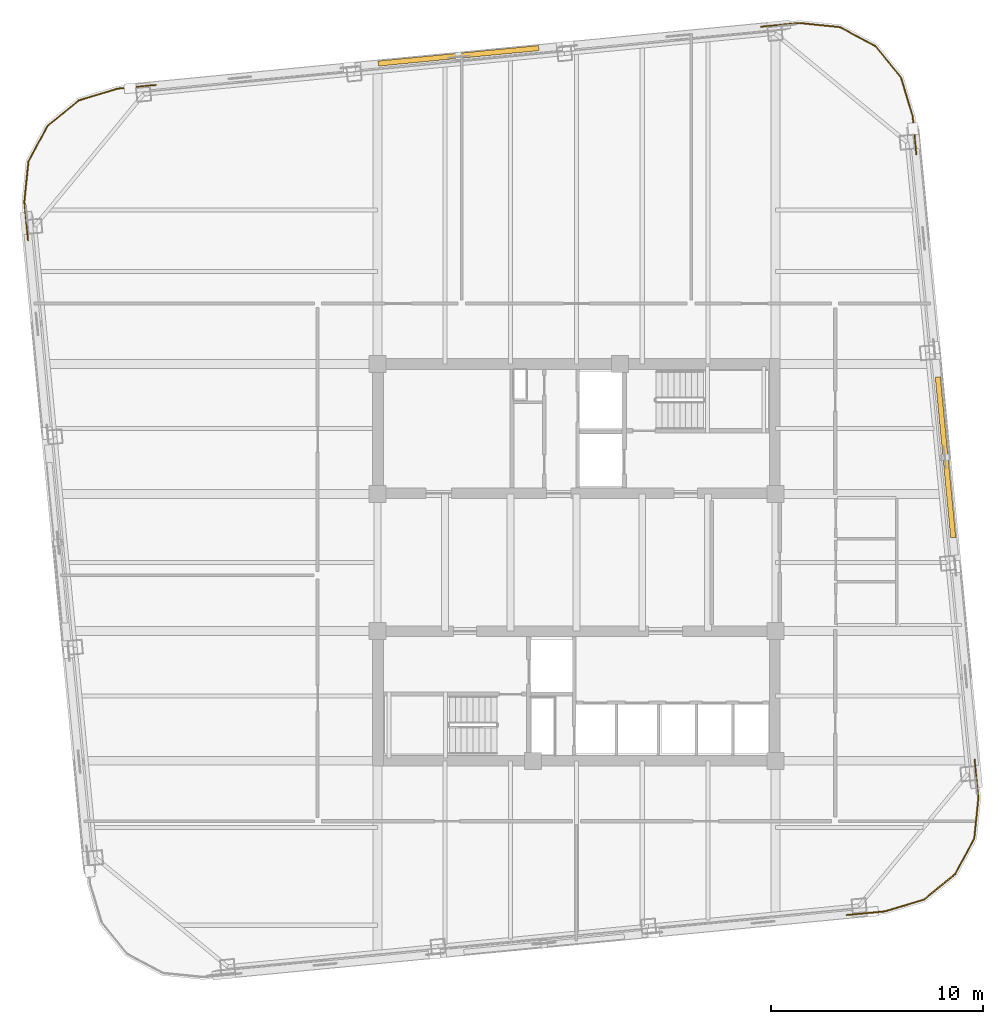
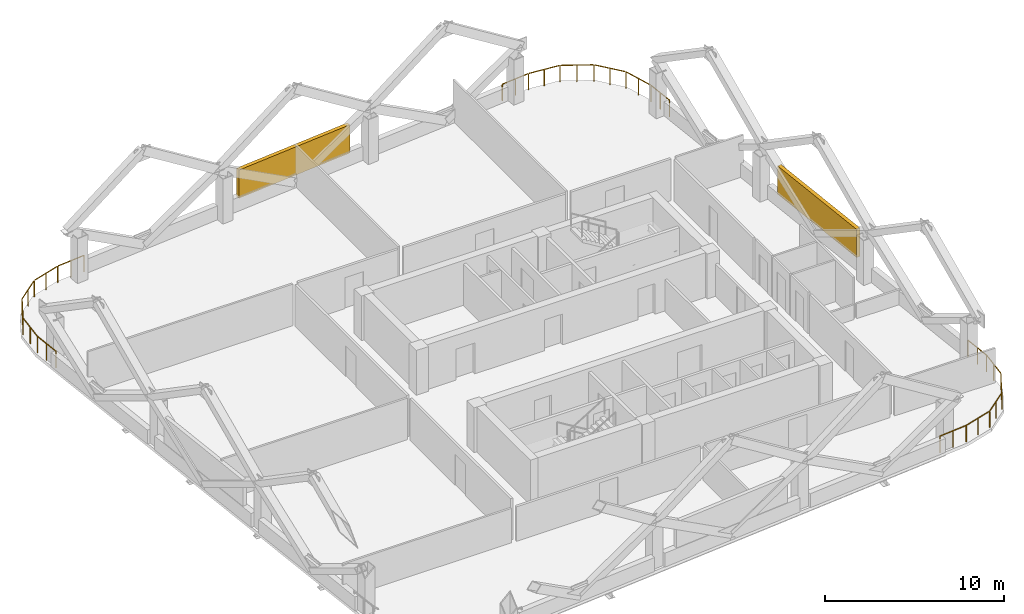
# One storey, part 9 of 9: 4 railings, 2 shading devices.
"""IFC4 building model written with IfcOpenShell, lengths in metres."""

from ifc_helpers import new_model, si_unit, direction, frame, origin, origin_2d, place, context, subcontext, project, spatial, rectangle, extrude, material, type_object, element, save


model = new_model("IFC4")

# Units and contexts
model_context = context("Model", 3, precision=1e-05, world=origin(), true_north=direction((0.0, 1.0)))
body_context = subcontext(model_context, "Body", "Model", "MODEL_VIEW")
ifc_project = project(units=[si_unit("LENGTHUNIT", "METRE"), si_unit("AREAUNIT", "SQUARE_METRE"), si_unit("VOLUMEUNIT", "CUBIC_METRE"), si_unit("PLANEANGLEUNIT", "RADIAN"), si_unit("MASSUNIT", "GRAM", prefix="KILO")], contexts=[model_context])

# Site, building, storey
site_placement = place(None, origin())
site = spatial("IfcSite", under=ifc_project, at=site_placement, CompositionType="ELEMENT")
building_placement = place(site_placement, origin())
building = spatial("IfcBuilding", under=site, at=building_placement, Name="Qhalaya Broadcast Tower", CompositionType="ELEMENT")
storey_placement = place(building_placement, frame((0.0, 0.0, 180.550048828125)))
storey = spatial("IfcBuildingStorey", under=building, at=storey_placement, Name="L53", CompositionType="ELEMENT", Elevation=180.550048828125)

# Railings
ifc_material_1 = material(Name="Powder-Coated Galvanised Steel", Category="steel")
railing_type = type_object("IfcRailingType", Name="Terrace, Sky-Pool & Lookout Glass Balustrade 1150", PredefinedType="BALUSTRADE", material=ifc_material_1)
railing_1_placement = place(storey_placement, frame((14.53955078125, -15.846435546875, 0.0)))
element("IfcRailing", 1, at=railing_1_placement, inside=storey, type_object=railing_type, Name="L53 Rounded Corner Perimeter Guard 01", PredefinedType="BALUSTRADE", context=body_context, shape_type="SweptSolid", body=[
    extrude(rectangle(XDim=0.048095703125, YDim=0.048095703125, at=origin_2d()), frame((0.0, 0.0, 1.1259765625), z_axis=(-0.995397133929, -0.095836035844, 0.0), x_axis=(0.095836035844, -0.995397133929, 0.0)), (0.0, 0.0, 1.0), 1.80615234375),
    extrude(rectangle(XDim=0.0419921875, YDim=0.0419921875, at=origin_2d()), origin(), (0.0, 0.0, 1.0), 1.099853515625),
    extrude(rectangle(XDim=0.0419921875, YDim=0.0419921875, at=origin_2d()), frame((-0.89892578125, -0.08642578125, 0.0)), (0.0, 0.0, 1.0), 1.099853515625),
    extrude(rectangle(XDim=0.0419921875, YDim=0.0419921875, at=origin_2d()), frame((-1.7978515625, -0.173095703125, 0.0)), (0.0, 0.0, 1.0), 1.099853515625),
])
railing_2_placement = place(storey_placement, frame((-25.8466796875, 15.790283203125, 0.0)))
element("IfcRailing", 2, at=railing_2_placement, inside=storey, type_object=railing_type, Name="L53 Rounded Corner Perimeter Guard 03", PredefinedType="BALUSTRADE", context=body_context, shape_type="SweptSolid", body=[
    extrude(rectangle(XDim=0.048095703125, YDim=0.048095703125, at=origin_2d()), frame((0.0, 0.0, 1.1259765625), z_axis=(-0.095969962472, 0.995384230487, 0.0), x_axis=(-0.995384230487, -0.095969962472, 0.0)), (0.0, 0.0, 1.0), 1.77734375),
    extrude(rectangle(XDim=0.048095703125, YDim=0.048095703125, at=origin_2d()), frame((-0.17041015625, 1.82666015625, 1.1259765625), z_axis=(0.100185175984, 0.994968808814, 0.0), x_axis=(-0.994968808814, 0.100185175984, 0.0)), (0.0, 0.0, 1.0), 1.857666015625),
    extrude(rectangle(XDim=0.048095703125, YDim=0.048095703125, at=origin_2d()), frame((0.0322265625, 3.72900390625, 1.1259765625), z_axis=(0.473342342286, 0.880878554058, 0.0), x_axis=(-0.880878554058, 0.473342342286, 0.0)), (0.0, 0.0, 1.0), 1.845458984375),
    extrude(rectangle(XDim=0.048095703125, YDim=0.048095703125, at=origin_2d()), frame((0.94189453125, 5.3984375, 1.1259765625), z_axis=(0.774368685352, 0.632734651451, 0.0), x_axis=(-0.632734651451, 0.774368685352, 0.0)), (0.0, 0.0, 1.0), 1.84521484375),
    extrude(rectangle(XDim=0.048095703125, YDim=0.048095703125, at=origin_2d()), frame((2.420654296875, 6.592529296875, 1.1259765625), z_axis=(0.957576860039, 0.288177995547, 0.0), x_axis=(-0.288177995547, 0.957576860039, 0.0)), (0.0, 0.0, 1.0), 1.857666015625),
    extrude(rectangle(XDim=0.048095703125, YDim=0.048095703125, at=origin_2d()), frame((4.256103515625, 7.138916015625, 1.1259765625), z_axis=(0.995397133929, 0.095836035844, 0.0), x_axis=(-0.095836035844, 0.995397133929, 0.0)), (0.0, 0.0, 1.0), 1.77734375),
    extrude(rectangle(XDim=0.0419921875, YDim=0.0419921875, at=origin_2d()), origin(), (0.0, 0.0, 1.0), 1.099853515625),
    extrude(rectangle(XDim=0.0419921875, YDim=0.0419921875, at=origin_2d()), frame((-0.086669921875, 0.89892578125, 0.0)), (0.0, 0.0, 1.0), 1.099853515625),
    extrude(rectangle(XDim=0.0419921875, YDim=0.0419921875, at=origin_2d()), frame((-0.17333984375, 1.7978515625, 0.0)), (0.0, 0.0, 1.0), 1.099853515625),
    extrude(rectangle(XDim=0.0419921875, YDim=0.0419921875, at=origin_2d()), frame((-0.077392578125, 2.750732421875, 0.0)), (0.0, 0.0, 1.0), 1.099853515625),
    extrude(rectangle(XDim=0.0419921875, YDim=0.0419921875, at=origin_2d()), frame((0.0185546875, 3.70361328125, 0.0)), (0.0, 0.0, 1.0), 1.099853515625),
    extrude(rectangle(XDim=0.0419921875, YDim=0.0419921875, at=origin_2d()), frame((0.468994140625, 4.5419921875, 0.0)), (0.0, 0.0, 1.0), 1.099853515625),
    extrude(rectangle(XDim=0.0419921875, YDim=0.0419921875, at=origin_2d()), frame((0.91943359375, 5.380126953125, 0.0)), (0.0, 0.0, 1.0), 1.099853515625),
    extrude(rectangle(XDim=0.0419921875, YDim=0.0419921875, at=origin_2d()), frame((1.65625, 5.982177734375, 0.0)), (0.0, 0.0, 1.0), 1.099853515625),
    extrude(rectangle(XDim=0.0419921875, YDim=0.0419921875, at=origin_2d()), frame((2.39306640625, 6.584228515625, 0.0)), (0.0, 0.0, 1.0), 1.099853515625),
    extrude(rectangle(XDim=0.0419921875, YDim=0.0419921875, at=origin_2d()), frame((3.31005859375, 6.8603515625, 0.0)), (0.0, 0.0, 1.0), 1.099853515625),
    extrude(rectangle(XDim=0.0419921875, YDim=0.0419921875, at=origin_2d()), frame((4.227294921875, 7.13623046875, 0.0)), (0.0, 0.0, 1.0), 1.099853515625),
    extrude(rectangle(XDim=0.0419921875, YDim=0.0419921875, at=origin_2d()), frame((5.126220703125, 7.22265625, 0.0)), (0.0, 0.0, 1.0), 1.099853515625),
    extrude(rectangle(XDim=0.0419921875, YDim=0.0419921875, at=origin_2d()), frame((6.025146484375, 7.309326171875, 0.0)), (0.0, 0.0, 1.0), 1.099853515625),
])
railing_3_placement = place(storey_placement, frame((8.71044921875, 25.8466796875, 0.0)))
element("IfcRailing", 3, at=railing_3_placement, inside=storey, type_object=railing_type, Name="L53 Rounded Corner Perimeter Guard 04", PredefinedType="BALUSTRADE", context=body_context, shape_type="SweptSolid", body=[
    extrude(rectangle(XDim=0.048095703125, YDim=0.048095703125, at=origin_2d()), frame((0.0, 0.0, 1.1259765625), z_axis=(0.995384230487, 0.095969962472, 0.0), x_axis=(-0.095969962472, 0.995384230487, 0.0)), (0.0, 0.0, 1.0), 1.77734375),
    extrude(rectangle(XDim=0.048095703125, YDim=0.048095703125, at=origin_2d()), frame((1.82666015625, 0.17041015625, 1.1259765625), z_axis=(0.994967529225, -0.100197883148, 0.0), x_axis=(0.100197883148, 0.994967529225, 0.0)), (0.0, 0.0, 1.0), 1.857421875),
    extrude(rectangle(XDim=0.048095703125, YDim=0.048095703125, at=origin_2d()), frame((3.728759765625, -0.0322265625, 1.1259765625), z_axis=(0.880878554058, -0.473342342286, 0.0), x_axis=(0.473342342286, 0.880878554058, 0.0)), (0.0, 0.0, 1.0), 1.845458984375),
    extrude(rectangle(XDim=0.048095703125, YDim=0.048095703125, at=origin_2d()), frame((5.398193359375, -0.94189453125, 1.1259765625), z_axis=(0.632734651451, -0.774368685352, 0.0), x_axis=(0.774368685352, 0.632734651451, 0.0)), (0.0, 0.0, 1.0), 1.84521484375),
    extrude(rectangle(XDim=0.048095703125, YDim=0.048095703125, at=origin_2d()), frame((6.59228515625, -2.420654296875, 1.1259765625), z_axis=(0.288177995547, -0.957576860039, 0.0), x_axis=(0.957576860039, 0.288177995547, 0.0)), (0.0, 0.0, 1.0), 1.857666015625),
    extrude(rectangle(XDim=0.048095703125, YDim=0.048095703125, at=origin_2d()), frame((7.138671875, -4.256103515625, 1.1259765625), z_axis=(0.095836035844, -0.995397133929, 0.0), x_axis=(0.995397133929, 0.095836035844, 0.0)), (0.0, 0.0, 1.0), 1.77734375),
    extrude(rectangle(XDim=0.0419921875, YDim=0.0419921875, at=origin_2d()), origin(), (0.0, 0.0, 1.0), 1.099853515625),
    extrude(rectangle(XDim=0.0419921875, YDim=0.0419921875, at=origin_2d()), frame((0.89892578125, 0.086669921875, 0.0)), (0.0, 0.0, 1.0), 1.099853515625),
    extrude(rectangle(XDim=0.0419921875, YDim=0.0419921875, at=origin_2d()), frame((1.7978515625, 0.17333984375, 0.0)), (0.0, 0.0, 1.0), 1.099853515625),
    extrude(rectangle(XDim=0.0419921875, YDim=0.0419921875, at=origin_2d()), frame((2.75048828125, 0.077392578125, 0.0)), (0.0, 0.0, 1.0), 1.099853515625),
    extrude(rectangle(XDim=0.0419921875, YDim=0.0419921875, at=origin_2d()), frame((3.703369140625, -0.0185546875, 0.0)), (0.0, 0.0, 1.0), 1.099853515625),
    extrude(rectangle(XDim=0.0419921875, YDim=0.0419921875, at=origin_2d()), frame((4.54150390625, -0.468994140625, 0.0)), (0.0, 0.0, 1.0), 1.099853515625),
    extrude(rectangle(XDim=0.0419921875, YDim=0.0419921875, at=origin_2d()), frame((5.3798828125, -0.91943359375, 0.0)), (0.0, 0.0, 1.0), 1.099853515625),
    extrude(rectangle(XDim=0.0419921875, YDim=0.0419921875, at=origin_2d()), frame((5.98193359375, -1.65625, 0.0)), (0.0, 0.0, 1.0), 1.099853515625),
    extrude(rectangle(XDim=0.0419921875, YDim=0.0419921875, at=origin_2d()), frame((6.583984375, -2.39306640625, 0.0)), (0.0, 0.0, 1.0), 1.099853515625),
    extrude(rectangle(XDim=0.0419921875, YDim=0.0419921875, at=origin_2d()), frame((6.85986328125, -3.31005859375, 0.0)), (0.0, 0.0, 1.0), 1.099853515625),
    extrude(rectangle(XDim=0.0419921875, YDim=0.0419921875, at=origin_2d()), frame((7.135986328125, -4.227294921875, 0.0)), (0.0, 0.0, 1.0), 1.099853515625),
    extrude(rectangle(XDim=0.0419921875, YDim=0.0419921875, at=origin_2d()), frame((7.22265625, -5.126220703125, 0.0)), (0.0, 0.0, 1.0), 1.099853515625),
    extrude(rectangle(XDim=0.0419921875, YDim=0.0419921875, at=origin_2d()), frame((7.30908203125, -6.025146484375, 0.0)), (0.0, 0.0, 1.0), 1.099853515625),
])
railing_4_placement = place(storey_placement, frame((18.766845703125, -8.71044921875, 0.0)))
element("IfcRailing", 4, at=railing_4_placement, inside=storey, type_object=railing_type, Name="L53 Rounded Corner Perimeter Guard 05", PredefinedType="BALUSTRADE", context=body_context, shape_type="SweptSolid", body=[
    extrude(rectangle(XDim=0.048095703125, YDim=0.048095703125, at=origin_2d()), frame((0.0, 0.0, 1.1259765625), z_axis=(0.095836035844, -0.995397133929, 0.0), x_axis=(0.995397133929, 0.095836035844, 0.0)), (0.0, 0.0, 1.0), 1.77734375),
    extrude(rectangle(XDim=0.048095703125, YDim=0.048095703125, at=origin_2d()), frame((0.170166015625, -1.82666015625, 1.1259765625), z_axis=(-0.100197883148, -0.994967529225, 0.0), x_axis=(0.994967529225, -0.100197883148, 0.0)), (0.0, 0.0, 1.0), 1.857421875),
    extrude(rectangle(XDim=0.048095703125, YDim=0.048095703125, at=origin_2d()), frame((-0.032470703125, -3.728759765625, 1.1259765625), z_axis=(-0.473242797018, -0.880932037714, 0.0), x_axis=(0.880932037714, -0.473242797018, 0.0)), (0.0, 0.0, 1.0), 1.845458984375),
    extrude(rectangle(XDim=0.048095703125, YDim=0.048095703125, at=origin_2d()), frame((-0.94189453125, -5.398193359375, 1.1259765625), z_axis=(-0.774420039683, -0.632671796541, 0.0), x_axis=(0.632671796541, -0.774420039683, 0.0)), (0.0, 0.0, 1.0), 1.845458984375),
    extrude(rectangle(XDim=0.048095703125, YDim=0.048095703125, at=origin_2d()), frame((-2.4208984375, -6.59228515625, 1.1259765625), z_axis=(-0.95756627332, -0.288213171456, 0.0), x_axis=(0.288213171456, -0.95756627332, 0.0)), (0.0, 0.0, 1.0), 1.886474609375),
    extrude(rectangle(XDim=0.0419921875, YDim=0.0419921875, at=origin_2d()), origin(), (0.0, 0.0, 1.0), 1.099853515625),
    extrude(rectangle(XDim=0.0419921875, YDim=0.0419921875, at=origin_2d()), frame((0.08642578125, -0.89892578125, 0.0)), (0.0, 0.0, 1.0), 1.099853515625),
    extrude(rectangle(XDim=0.0419921875, YDim=0.0419921875, at=origin_2d()), frame((0.173095703125, -1.7978515625, 0.0)), (0.0, 0.0, 1.0), 1.099853515625),
    extrude(rectangle(XDim=0.0419921875, YDim=0.0419921875, at=origin_2d()), frame((0.0771484375, -2.75048828125, 0.0)), (0.0, 0.0, 1.0), 1.099853515625),
    extrude(rectangle(XDim=0.0419921875, YDim=0.0419921875, at=origin_2d()), frame((-0.018798828125, -3.703369140625, 0.0)), (0.0, 0.0, 1.0), 1.099853515625),
    extrude(rectangle(XDim=0.0419921875, YDim=0.0419921875, at=origin_2d()), frame((-0.46923828125, -4.54150390625, 0.0)), (0.0, 0.0, 1.0), 1.099853515625),
    extrude(rectangle(XDim=0.0419921875, YDim=0.0419921875, at=origin_2d()), frame((-0.91943359375, -5.3798828125, 0.0)), (0.0, 0.0, 1.0), 1.099853515625),
    extrude(rectangle(XDim=0.0419921875, YDim=0.0419921875, at=origin_2d()), frame((-1.65625, -5.98193359375, 0.0)), (0.0, 0.0, 1.0), 1.099853515625),
    extrude(rectangle(XDim=0.0419921875, YDim=0.0419921875, at=origin_2d()), frame((-2.393310546875, -6.583984375, 0.0)), (0.0, 0.0, 1.0), 1.099853515625),
    extrude(rectangle(XDim=0.0419921875, YDim=0.0419921875, at=origin_2d()), frame((-3.310302734375, -6.85986328125, 0.0)), (0.0, 0.0, 1.0), 1.099853515625),
    extrude(rectangle(XDim=0.0419921875, YDim=0.0419921875, at=origin_2d()), frame((-4.227294921875, -7.135986328125, 0.0)), (0.0, 0.0, 1.0), 1.099853515625),
])

# Shading devices
ifc_material_2 = material(Name="Fired Architectural Terracotta", Category="masonry")
shading_device_type = type_object("IfcShadingDeviceType", Name="Terracotta Baguette Solar Screen Assembly TBS-01", PredefinedType="USERDEFINED", material=ifc_material_2)
for number, where, z_axis, x_axis, name in (
    (5, (17.393310546875, 5.5556640625, 0.79248046875), (0.0, 0.0, 1.0), (-0.09584575252, 0.995396198367, 0.0), "L53 Fired Terracotta Baguette Screen E"),
    (6, (-5.5556640625, 24.47314453125, 0.79248046875), (0.0, 0.0, 1.0), (-0.995396198367, -0.09584575252, 0.0), "L53 Fired Terracotta Baguette Screen N"),
):
    element("IfcShadingDevice", number, at=place(storey_placement, frame(where, z_axis=z_axis, x_axis=x_axis)), inside=storey, type_object=shading_device_type, Name=name, ObjectType="BAGUETTE", PredefinedType="USERDEFINED", context=body_context, shape_type="SweptSolid", body=[
        extrude(rectangle(XDim=7.60009765625, YDim=0.239990234375, at=origin_2d()), origin(), (0.0, 0.0, 1.0), 1.924072265625),
    ])

save(model, "model.ifc")
